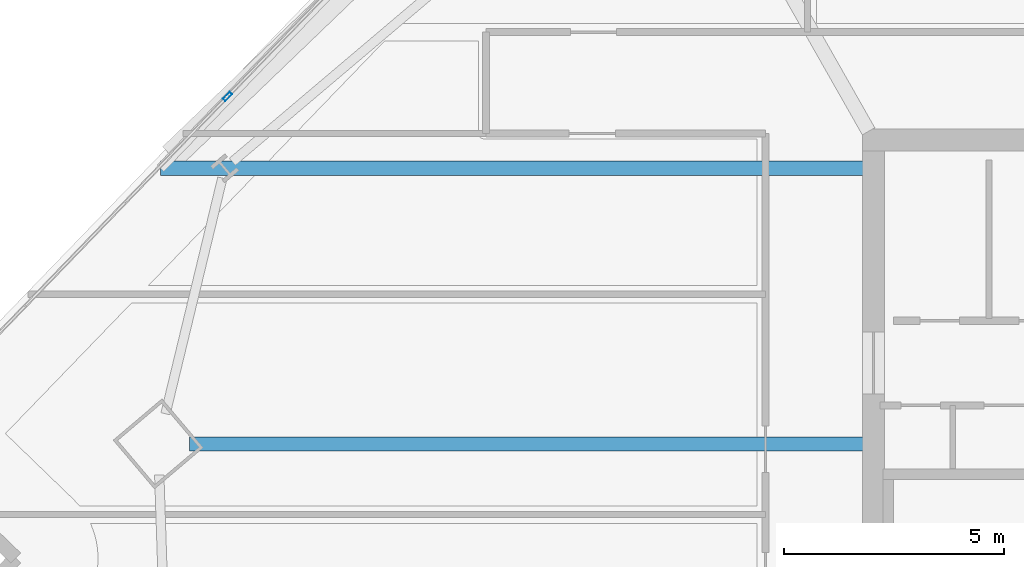
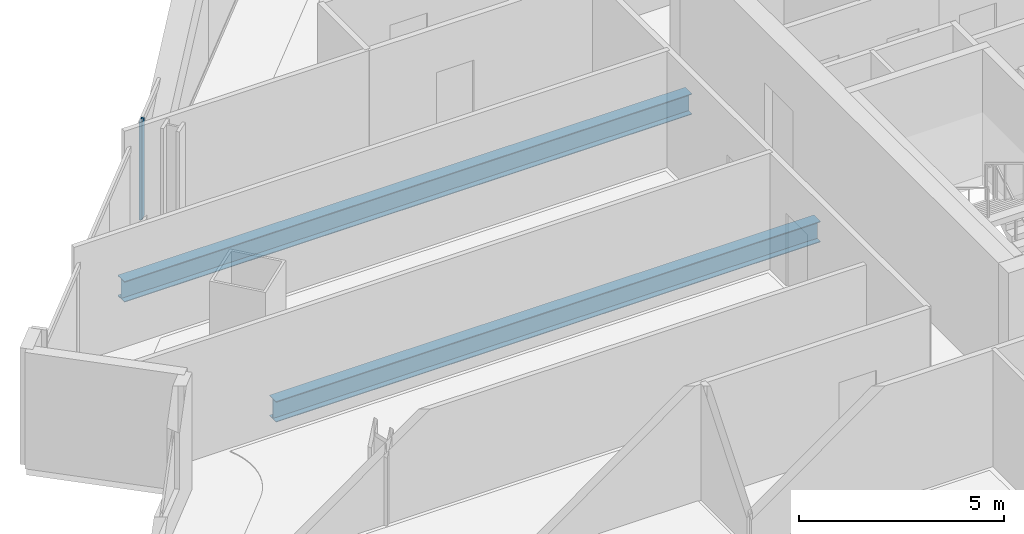
# One storey, part 15 of 33: 2 beams, 1 member, 1 element without a shape of its own.
"""IFC4 building model written with IfcOpenShell, lengths in metres."""

from ifc_helpers import new_model, si_unit, direction, frame, origin, origin_2d, place, context, subcontext, project, spatial, hollow_rectangle, i_section, extrude, material, material_profile, profile_set, type_object, element, aggregate, save


model = new_model("IFC4")

# Units and contexts
model_context = context("Model", 3, precision=1e-05, world=origin(), true_north=direction((0.0, 1.0)))
body_context = subcontext(model_context, "Body", "Model", "MODEL_VIEW")
ifc_project = project(units=[si_unit("LENGTHUNIT", "METRE"), si_unit("AREAUNIT", "SQUARE_METRE"), si_unit("VOLUMEUNIT", "CUBIC_METRE"), si_unit("PLANEANGLEUNIT", "RADIAN"), si_unit("MASSUNIT", "GRAM", prefix="KILO")], contexts=[model_context])

# Site, building, storey
site_placement = place(None, origin())
site = spatial("IfcSite", under=ifc_project, at=site_placement, CompositionType="ELEMENT")
building_placement = place(site_placement, origin())
building = spatial("IfcBuilding", under=site, at=building_placement, Name="Haldenkirk Collegiate Tower", CompositionType="ELEMENT")
storey_placement = place(building_placement, frame((0.0, 0.0, 181.949951171875)))
storey = spatial("IfcBuildingStorey", under=building, at=storey_placement, Name="L45", CompositionType="ELEMENT", Elevation=181.949951171875)

# Beams
ifc_material_1 = material(Name="Steel ASTM A992 Grade 50", Category="steel")
ifc_material_profile_1 = material_profile(ifc_material_1, i_section(OverallWidth=0.324951171875, OverallDepth=0.615966796875, WebThickness=0.013916015625, FlangeThickness=0.021484375, at=origin_2d()), Name="W24X117")
ifc_profile_set_1 = profile_set([ifc_material_profile_1], Name="Steel ASTM A992 Grade 50")
beam_type = type_object("IfcBeamType", Name="BM-GIRDER-W24X117", PredefinedType="BEAM", material=ifc_profile_set_1)
beam_1_placement = place(storey_placement, frame((11.466064453125, 27.103759765625, -0.597900390625), z_axis=(1.0, 0.0, 0.0), x_axis=(0.0, 1.0, 0.0)))
element("IfcBeam", 1, at=beam_1_placement, inside=storey, type_object=beam_type, Name="L45 primary floor girder 04", PredefinedType="BEAM", context=body_context, shape_type="SweptSolid", body=[
    extrude(i_section(OverallWidth=0.324951171875, OverallDepth=0.615966796875, WebThickness=0.013916015625, FlangeThickness=0.021484375, at=origin_2d()), origin(), (0.0, 0.0, 1.0), 15.303955078125),
])
beam_2_placement = place(storey_placement, frame((10.814208984375, 33.360107421875, -0.597900390625), z_axis=(1.0, 0.0, 0.0), x_axis=(0.0, 1.0, 0.0)))
element("IfcBeam", 2, at=beam_2_placement, inside=storey, type_object=beam_type, Name="L45 primary floor girder 13", PredefinedType="BEAM", context=body_context, shape_type="SweptSolid", body=[
    extrude(i_section(OverallWidth=0.324951171875, OverallDepth=0.615966796875, WebThickness=0.013916015625, FlangeThickness=0.021484375, at=origin_2d()), origin(), (0.0, 0.0, 1.0), 15.955810546875),
])

# Curtain wall, member
ifc_material_2 = material(Name="Anodised architectural bronze aluminium", Category="aluminium")
curtain_wall_type = type_object("IfcCurtainWallType", Name="CW-SYS1-CONVEX-LOW", PredefinedType="USERDEFINED", material=ifc_material_2)
curtain_wall_placement = place(storey_placement, origin())
curtain_wall = element("IfcCurtainWall", 3, at=curtain_wall_placement, inside=storey, type_object=curtain_wall_type, Name="L45 Lower tower convex bronze-framed unitised curtain wall", ObjectType="UNITISED CURTAIN WALL", PredefinedType="USERDEFINED")
ifc_material_profile_2 = material_profile(ifc_material_2, hollow_rectangle(XDim=0.080078125, YDim=0.219970703125, WallThickness=0.0048828125, at=origin_2d()), Name="CW-MUL-1A")
ifc_profile_set_2 = profile_set([ifc_material_profile_2], Name="Anodised architectural bronze aluminium")
member_type = type_object("IfcMemberType", Name="CW-MUL-1A", PredefinedType="MULLION", material=ifc_profile_set_2)
member_placement = place(storey_placement, frame((12.331787109375, 34.9892578125, 0.0), z_axis=(0.0, 0.0, 1.0), x_axis=(-0.719341171776, 0.694656950291, 0.0)))
member = element("IfcMember", 4, at=member_placement, type_object=member_type, Name="CW-1A mullion 2", PredefinedType="MULLION", context=body_context, shape_type="SweptSolid", body=[
    extrude(hollow_rectangle(XDim=0.080078125, YDim=0.219970703125, WallThickness=0.0048828125, at=origin_2d()), origin(), (0.0, 0.0, 1.0), 2.9111328125),
])
aggregate(curtain_wall, [member])

save(model, "model.ifc")
